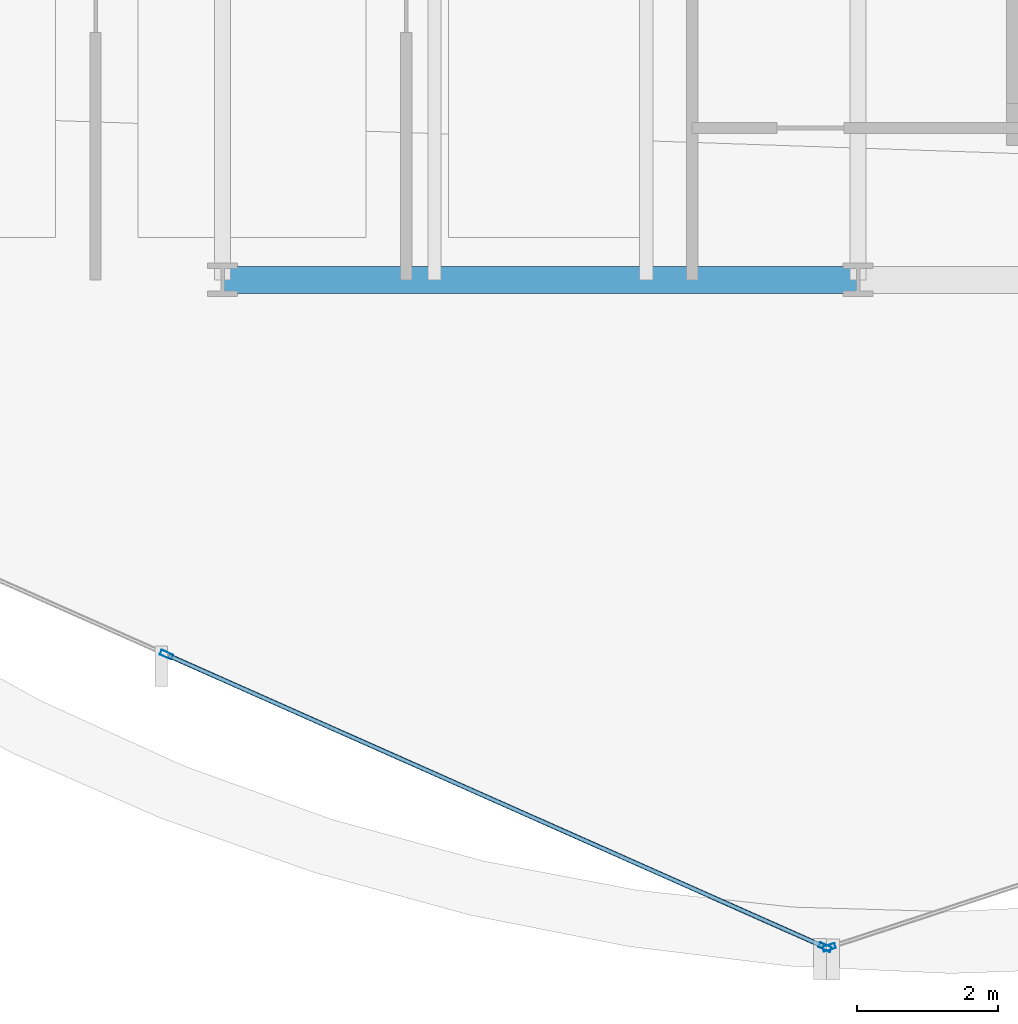
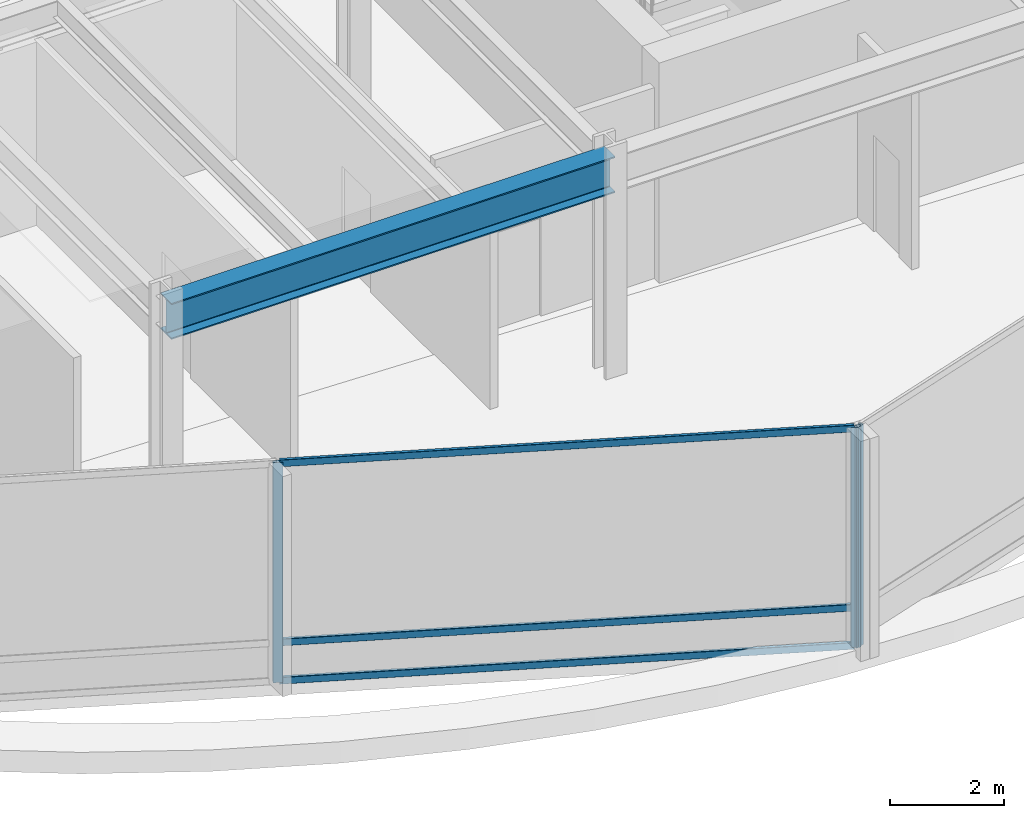
# One storey, part 3 of 39: 6 members, 1 beam, 2 elements without a shape of their own.
"""IFC4 building model written with IfcOpenShell, lengths in metres."""

from ifc_helpers import new_model, si_unit, direction, frame, origin, origin_2d, place, context, subcontext, project, spatial, hollow_rectangle, i_section, extrude, material, layer, layer_set, material_profile, profile_set, type_object, element, aggregate, save


model = new_model("IFC4")

# Units and contexts
model_context = context("Model", 3, precision=1e-05, world=origin(), true_north=direction((0.0, 1.0)))
body_context = subcontext(model_context, "Body", "Model", "MODEL_VIEW")
ifc_project = project(units=[si_unit("LENGTHUNIT", "METRE"), si_unit("AREAUNIT", "SQUARE_METRE"), si_unit("VOLUMEUNIT", "CUBIC_METRE"), si_unit("PLANEANGLEUNIT", "RADIAN"), si_unit("MASSUNIT", "GRAM", prefix="KILO")], contexts=[model_context])

# Site, building, storey
site_placement = place(None, origin())
site = spatial("IfcSite", under=ifc_project, at=site_placement, CompositionType="ELEMENT")
building_placement = place(site_placement, origin())
building = spatial("IfcBuilding", under=site, at=building_placement, Name="Solvaryn Broadcast Tower", CompositionType="ELEMENT")
storey_placement = place(building_placement, frame((0.0, 0.0, 84.10009765625)))
storey = spatial("IfcBuildingStorey", under=building, at=storey_placement, Name="L20", CompositionType="ELEMENT", Elevation=84.10009765625)

# Beam
ifc_material_1 = material(Name="Steel ASTM A992 Grade 50", Category="steel")
ifc_material_profile_1 = material_profile(ifc_material_1, i_section(OverallWidth=0.381103515625, OverallDepth=0.77294921875, WebThickness=0.0166015625, FlangeThickness=0.027099609375, FilletRadius=0.01806640625, at=origin_2d()))
ifc_profile_set_1 = profile_set([ifc_material_profile_1], Name="Steel ASTM A992 Grade 50")
beam_type = type_object("IfcBeamType", Name="BM-SP1-W30X173", PredefinedType="USERDEFINED", material=ifc_profile_set_1)
beam_placement = place(storey_placement, frame((18.0, 9.0, 4.33349609375), z_axis=(1.0, 0.0, 0.0), x_axis=(0.0, 1.0, 0.0)))
element("IfcBeam", 1, at=beam_placement, inside=storey, type_object=beam_type, Name="L20 Spandrel Beam X (18-27 @ Y=9)", ObjectType="SPANDREL", PredefinedType="USERDEFINED", context=body_context, shape_type="SweptSolid", body=[
    extrude(i_section(OverallWidth=0.381103515625, OverallDepth=0.77294921875, WebThickness=0.0166015625, FlangeThickness=0.027099609375, FilletRadius=0.01806640625, at=origin_2d()), origin(), (0.0, 0.0, 1.0), 9.0),
])

# Curtain wall, members
ifc_material_2 = material(Name="Aluminium and Terracotta Unitised Curtain Wall", Category="masonry")
ifc_layer = layer(ifc_material_2, 0.25)
ifc_layer_set = layer_set([ifc_layer], Name="CW-SYS4-SKYGARDEN")
curtain_wall_type = type_object("IfcCurtainWallType", Name="CW-SYS4-SKYGARDEN", PredefinedType="NOTDEFINED", material=ifc_layer_set)
curtain_wall_1_placement = place(storey_placement, origin())
curtain_wall_1 = element("IfcCurtainWall", 2, at=curtain_wall_1_placement, inside=storey, type_object=curtain_wall_type, Name="L20 Curtain Wall DR3", PredefinedType="NOTDEFINED")
ifc_material_3 = material(Name="Anodised Aluminium 6063-T6", Category="aluminium")
ifc_material_profile_2 = material_profile(ifc_material_3, hollow_rectangle(XDim=0.074951171875, YDim=0.179931640625, WallThickness=0.00390625, InnerFilletRadius=0.00390625, OuterFilletRadius=0.008056640625, at=origin_2d()))
ifc_profile_set_2 = profile_set([ifc_material_profile_2], Name="Anodised Aluminium 6063-T6")
member_type_1 = type_object("IfcMemberType", Name="CW-MUL-180", PredefinedType="MULLION", material=ifc_profile_set_2)
member_1_placement = place(storey_placement, frame((17.20361328125, 3.69140625, 0.0), z_axis=(0.0, 0.0, 1.0), x_axis=(0.405898286554, 0.913918257271, 0.0)))
member_1 = element("IfcMember", 3, at=member_1_placement, type_object=member_type_1, Name="CWS4 mullion 2", PredefinedType="MULLION", context=body_context, shape_type="SweptSolid", body=[
    extrude(hollow_rectangle(XDim=0.074951171875, YDim=0.179931640625, WallThickness=0.00390625, InnerFilletRadius=0.00390625, OuterFilletRadius=0.008056640625, at=origin_2d()), origin(), (0.0, 0.0, 1.0), 4.719970703125),
])
member_2_placement = place(storey_placement, frame((26.532470703125, -0.451904296875, 0.0), z_axis=(0.0, 0.0, 1.0), x_axis=(0.405898286554, 0.913918257271, 0.0)))
member_2 = element("IfcMember", 4, at=member_2_placement, type_object=member_type_1, Name="CWS4 mullion 3", PredefinedType="MULLION", context=body_context, shape_type="SweptSolid", body=[
    extrude(hollow_rectangle(XDim=0.074951171875, YDim=0.179931640625, WallThickness=0.00390625, InnerFilletRadius=0.00390625, OuterFilletRadius=0.008056640625, at=origin_2d()), origin(), (0.0, 0.0, 1.0), 4.719970703125),
])

# Curtain wall, member
curtain_wall_2_placement = place(storey_placement, origin())
curtain_wall_2 = element("IfcCurtainWall", 5, at=curtain_wall_2_placement, inside=storey, type_object=curtain_wall_type, Name="L20 Curtain Wall DR4", PredefinedType="NOTDEFINED")
member_3_placement = place(storey_placement, frame((26.588623046875, -0.45458984375, 0.0), z_axis=(0.0, 0.0, 1.0), x_axis=(-0.311594044587, 0.950215318429, 0.0)))
member_3 = element("IfcMember", 6, at=member_3_placement, type_object=member_type_1, Name="CWS4 mullion 1", PredefinedType="MULLION", context=body_context, shape_type="SweptSolid", body=[
    extrude(hollow_rectangle(XDim=0.074951171875, YDim=0.179931640625, WallThickness=0.00390625, InnerFilletRadius=0.00390625, OuterFilletRadius=0.008056640625, at=origin_2d()), origin(), (0.0, 0.0, 1.0), 4.719970703125),
])
aggregate(curtain_wall_2, [member_3])

# Member
ifc_material_4 = material(Name="Anodised Aluminium 6063-T6", Category="aluminium")
ifc_material_profile_3 = material_profile(ifc_material_4, hollow_rectangle(XDim=0.06494140625, YDim=0.14990234375, WallThickness=0.00390625, InnerFilletRadius=0.00390625, OuterFilletRadius=0.008056640625, at=origin_2d()))
ifc_profile_set_3 = profile_set([ifc_material_profile_3], Name="Anodised Aluminium 6063-T6")
member_type_2 = type_object("IfcMemberType", Name="CW-TRN-150", PredefinedType="USERDEFINED", material=ifc_profile_set_3)
member_4_placement = place(storey_placement, frame((17.23095703125, 3.679443359375, 0.02978515625), z_axis=(0.913910731719, -0.40591523062, 0.0), x_axis=(0.40591523062, 0.913910731719, 0.0)))
member_4 = element("IfcMember", 7, at=member_4_placement, type_object=member_type_2, Name="CWS4 transom 2.1", ObjectType="TRANSOM", PredefinedType="USERDEFINED", context=body_context, shape_type="SweptSolid", body=[
    extrude(hollow_rectangle(XDim=0.06494140625, YDim=0.14990234375, WallThickness=0.00390625, InnerFilletRadius=0.00390625, OuterFilletRadius=0.008056640625, at=origin_2d()), origin(), (0.0, 0.0, 1.0), 10.147705078125),
])

member_5_placement = place(storey_placement, frame((17.23095703125, 3.679443359375, 0.849853515625), z_axis=(0.913910731719, -0.40591523062, 0.0), x_axis=(0.40591523062, 0.913910731719, 0.0)))
member_5 = element("IfcMember", 8, at=member_5_placement, type_object=member_type_2, Name="CWS4 transom 2.2", ObjectType="TRANSOM", PredefinedType="USERDEFINED", context=body_context, shape_type="SweptSolid", body=[
    extrude(hollow_rectangle(XDim=0.06494140625, YDim=0.14990234375, WallThickness=0.00390625, InnerFilletRadius=0.00390625, OuterFilletRadius=0.008056640625, at=origin_2d()), origin(), (0.0, 0.0, 1.0), 10.147705078125),
])

member_6_placement = place(storey_placement, frame((17.23095703125, 3.679443359375, 4.68994140625), z_axis=(0.913910731719, -0.40591523062, 0.0), x_axis=(0.40591523062, 0.913910731719, 0.0)))
member_6 = element("IfcMember", 9, at=member_6_placement, type_object=member_type_2, Name="CWS4 transom 2.3", ObjectType="TRANSOM", PredefinedType="USERDEFINED", context=body_context, shape_type="SweptSolid", body=[
    extrude(hollow_rectangle(XDim=0.06494140625, YDim=0.14990234375, WallThickness=0.00390625, InnerFilletRadius=0.00390625, OuterFilletRadius=0.008056640625, at=origin_2d()), origin(), (0.0, 0.0, 1.0), 10.147705078125),
])

aggregate(curtain_wall_1, [member_1, member_2, member_4, member_5, member_6])

save(model, "model.ifc")
